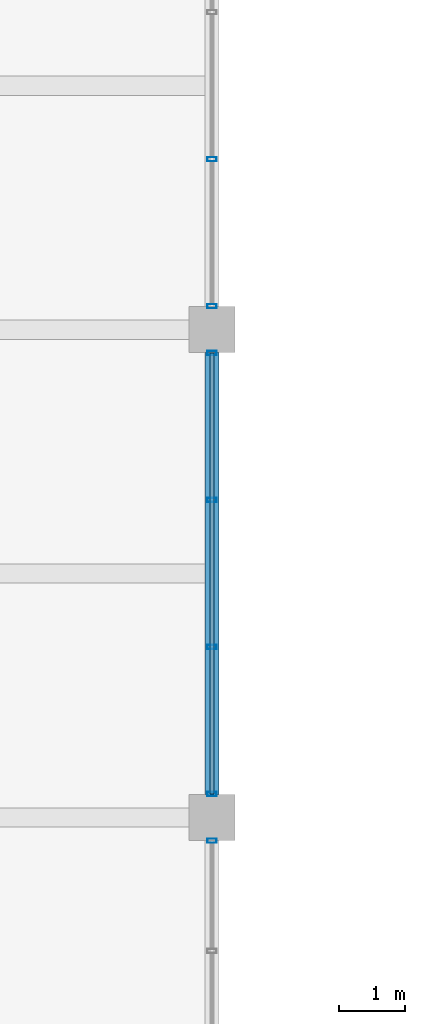
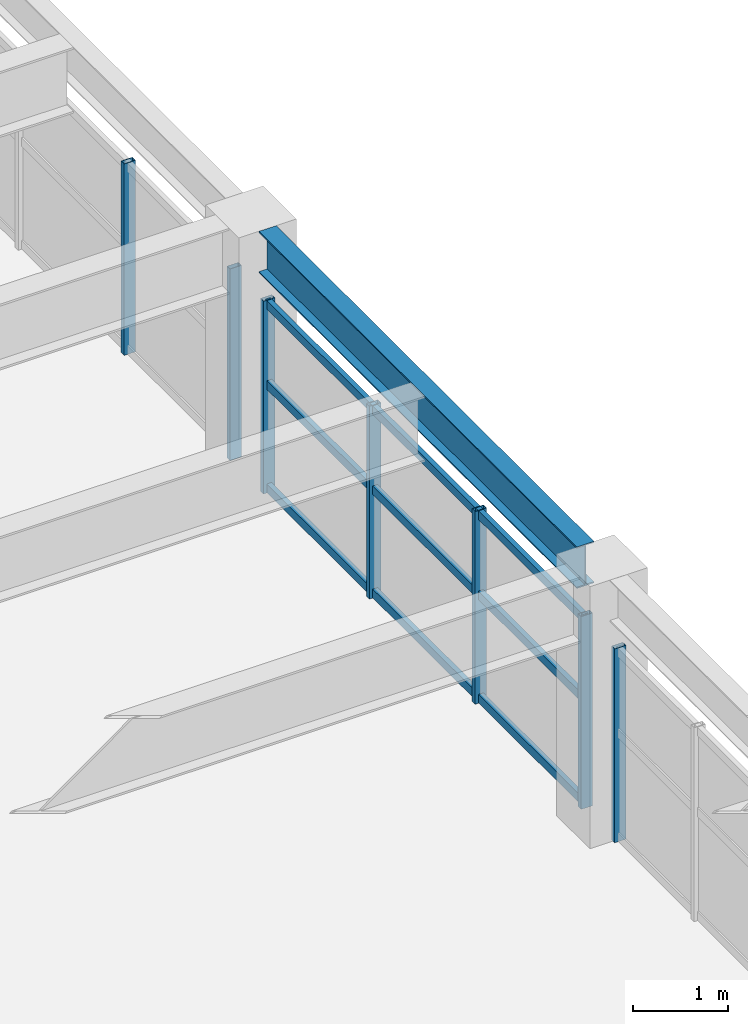
# One storey, part 70 of 121: 10 members, 1 beam, 3 elements without a shape of their own.
"""IFC4 building model written with IfcOpenShell, lengths in metres."""

from ifc_helpers import new_model, si_unit, direction, frame, origin, origin_2d, place, context, subcontext, project, spatial, hollow_rectangle, i_section, extrude, material, material_profile, profile_set, type_object, element, aggregate, save


model = new_model("IFC4")

# Units and contexts
model_context = context("Model", 3, precision=1e-05, world=origin(), true_north=direction((0.0, 1.0)))
body_context = subcontext(model_context, "Body", "Model", "MODEL_VIEW")
ifc_project = project(units=[si_unit("LENGTHUNIT", "METRE"), si_unit("AREAUNIT", "SQUARE_METRE"), si_unit("VOLUMEUNIT", "CUBIC_METRE"), si_unit("PLANEANGLEUNIT", "RADIAN"), si_unit("MASSUNIT", "GRAM", prefix="KILO")], contexts=[model_context])

# Site, building, storey
site_placement = place(None, origin())
site = spatial("IfcSite", under=ifc_project, at=site_placement, CompositionType="ELEMENT")
building_placement = place(site_placement, origin())
building = spatial("IfcBuilding", under=site, at=building_placement, Name="Cimatlan Art Gallery", CompositionType="ELEMENT")
storey_placement = place(building_placement, frame((0.0, 0.0, 10.199951171875)))
storey = spatial("IfcBuildingStorey", under=building, at=storey_placement, Name="L02", CompositionType="ELEMENT", Elevation=10.199951171875)

# Beam
ifc_material_1 = material(Name="Steel ASTM A992 Grade 50", Category="steel")
ifc_material_profile_1 = material_profile(ifc_material_1, i_section(OverallWidth=0.2099609375, OverallDepth=0.532958984375, WebThickness=0.01025390625, FlangeThickness=0.015625, at=origin_2d()), Name="W21X62")
ifc_profile_set_1 = profile_set([ifc_material_profile_1], Name="Steel ASTM A992 Grade 50")
beam_type = type_object("IfcBeamType", Name="BM-STL-W21X62", PredefinedType="BEAM", material=ifc_profile_set_1)
beam_placement = place(storey_placement, frame((99.199951171875, 83.449951171875, 3.103515625), z_axis=(0.0, 1.0, 0.0), x_axis=(-1.0, 0.0, 0.0)))
element("IfcBeam", 1, at=beam_placement, inside=storey, type_object=beam_type, Name="BM-Y-L02-12-11", PredefinedType="BEAM", context=body_context, shape_type="SweptSolid", body=[
    extrude(i_section(OverallWidth=0.2099609375, OverallDepth=0.532958984375, WebThickness=0.01025390625, FlangeThickness=0.015625, at=origin_2d()), origin(), (0.0, 0.0, 1.0), 6.699951171875),
])

# Curtain wall, member
ifc_material_2 = material(Name="Anodised bronze unitised curtain wall")
curtain_wall_type_1 = type_object("IfcCurtainWallType", Name="CW-V-06692X02494-B4", PredefinedType="NOTDEFINED", material=ifc_material_2)
curtain_wall_1_placement = place(storey_placement, origin())
curtain_wall_1 = element("IfcCurtainWall", 2, at=curtain_wall_1_placement, inside=storey, type_object=curtain_wall_type_1, Name="CW-L02-11-10-E", PredefinedType="NOTDEFINED")
ifc_material_3 = material(Name="Anodised bronze aluminium 6063-T6", Category="aluminium")
ifc_material_profile_2 = material_profile(ifc_material_3, hollow_rectangle(XDim=0.06494140625, YDim=0.139892578125, WallThickness=0.00390625, at=origin_2d()), Name="ALU65X140X4")
ifc_profile_set_2 = profile_set([ifc_material_profile_2], Name="Anodised bronze aluminium 6063-T6")
member_type_1 = type_object("IfcMemberType", Name="CW-MUL-140", PredefinedType="MULLION", material=ifc_profile_set_2)
member_1_placement = place(storey_placement, frame((99.199951171875, 82.74609375, 0.0), z_axis=(0.0, 0.0, 1.0), x_axis=(0.0, 1.0, 0.0)))
member_1 = element("IfcMember", 3, at=member_1_placement, type_object=member_type_1, Name="CW-L02-11-10-E-M1", PredefinedType="MULLION", context=body_context, shape_type="SweptSolid", body=[
    extrude(hollow_rectangle(XDim=0.06494140625, YDim=0.139892578125, WallThickness=0.00390625, at=origin_2d()), origin(), (0.0, 0.0, 1.0), 2.494140625),
])
aggregate(curtain_wall_1, [member_1])

# Curtain wall, members
curtain_wall_type_2 = type_object("IfcCurtainWallType", Name="CW-V-06692X02479-B3", PredefinedType="NOTDEFINED", material=ifc_material_2)
curtain_wall_2_placement = place(storey_placement, origin())
curtain_wall_2 = element("IfcCurtainWall", 4, at=curtain_wall_2_placement, inside=storey, type_object=curtain_wall_type_2, Name="CW-L02-11-11-E", PredefinedType="NOTDEFINED")
member_2_placement = place(storey_placement, frame((99.199951171875, 90.14599609375, 0.0), z_axis=(0.0, 0.0, 1.0), x_axis=(0.0, 1.0, 0.0)))
member_2 = element("IfcMember", 5, at=member_2_placement, type_object=member_type_1, Name="CW-L02-11-11-E-M1", PredefinedType="MULLION", context=body_context, shape_type="SweptSolid", body=[
    extrude(hollow_rectangle(XDim=0.06494140625, YDim=0.139892578125, WallThickness=0.00390625, at=origin_2d()), origin(), (0.0, 0.0, 1.0), 2.47900390625),
])
member_3_placement = place(storey_placement, frame((99.199951171875, 87.915283203125, 0.0), z_axis=(0.0, 0.0, 1.0), x_axis=(0.0, 1.0, 0.0)))
member_3 = element("IfcMember", 6, at=member_3_placement, type_object=member_type_1, Name="CW-L02-11-11-E-M2", PredefinedType="MULLION", context=body_context, shape_type="SweptSolid", body=[
    extrude(hollow_rectangle(XDim=0.06494140625, YDim=0.139892578125, WallThickness=0.00390625, at=origin_2d()), origin(), (0.0, 0.0, 1.0), 2.47900390625),
])
member_4_placement = place(storey_placement, frame((99.199951171875, 85.6845703125, 0.0), z_axis=(0.0, 0.0, 1.0), x_axis=(0.0, 1.0, 0.0)))
member_4 = element("IfcMember", 7, at=member_4_placement, type_object=member_type_1, Name="CW-L02-11-11-E-M3", PredefinedType="MULLION", context=body_context, shape_type="SweptSolid", body=[
    extrude(hollow_rectangle(XDim=0.06494140625, YDim=0.139892578125, WallThickness=0.00390625, at=origin_2d()), origin(), (0.0, 0.0, 1.0), 2.47900390625),
])
member_5_placement = place(storey_placement, frame((99.199951171875, 83.4541015625, 0.0), z_axis=(0.0, 0.0, 1.0), x_axis=(0.0, 1.0, 0.0)))
member_5 = element("IfcMember", 8, at=member_5_placement, type_object=member_type_1, Name="CW-L02-11-11-E-M4", PredefinedType="MULLION", context=body_context, shape_type="SweptSolid", body=[
    extrude(hollow_rectangle(XDim=0.06494140625, YDim=0.139892578125, WallThickness=0.00390625, at=origin_2d()), origin(), (0.0, 0.0, 1.0), 2.47900390625),
])

curtain_wall_type_3 = type_object("IfcCurtainWallType", Name="CW-V-06692X02464-B3", PredefinedType="NOTDEFINED", material=ifc_material_2)
curtain_wall_3_placement = place(storey_placement, origin())
curtain_wall_3 = element("IfcCurtainWall", 9, at=curtain_wall_3_placement, inside=storey, type_object=curtain_wall_type_3, Name="CW-L02-11-12-E", PredefinedType="NOTDEFINED")
member_6_placement = place(storey_placement, frame((99.199951171875, 93.084716796875, 0.0), z_axis=(0.0, 0.0, 1.0), x_axis=(0.0, 1.0, 0.0)))
member_6 = element("IfcMember", 10, at=member_6_placement, type_object=member_type_1, Name="CW-L02-11-12-E-M3", PredefinedType="MULLION", context=body_context, shape_type="SweptSolid", body=[
    extrude(hollow_rectangle(XDim=0.06494140625, YDim=0.139892578125, WallThickness=0.00390625, at=origin_2d()), origin(), (0.0, 0.0, 1.0), 2.464111328125),
])
member_7_placement = place(storey_placement, frame((99.199951171875, 90.85400390625, 0.0), z_axis=(0.0, 0.0, 1.0), x_axis=(0.0, 1.0, 0.0)))
member_7 = element("IfcMember", 11, at=member_7_placement, type_object=member_type_1, Name="CW-L02-11-12-E-M4", PredefinedType="MULLION", context=body_context, shape_type="SweptSolid", body=[
    extrude(hollow_rectangle(XDim=0.06494140625, YDim=0.139892578125, WallThickness=0.00390625, at=origin_2d()), origin(), (0.0, 0.0, 1.0), 2.464111328125),
])
aggregate(curtain_wall_3, [member_6, member_7])

# Member
ifc_material_profile_3 = material_profile(ifc_material_3, hollow_rectangle(XDim=0.06005859375, YDim=0.110107421875, WallThickness=0.00341796875, at=origin_2d()), Name="ALU60X110X3")
ifc_profile_set_3 = profile_set([ifc_material_profile_3], Name="Anodised bronze aluminium 6063-T6")
member_type_2 = type_object("IfcMemberType", Name="CW-TRN-110", PredefinedType="USERDEFINED", material=ifc_profile_set_3)
member_8_placement = place(storey_placement, frame((99.199951171875, 90.14599609375, 0.06005859375), z_axis=(0.0, -1.0, 0.0), x_axis=(1.0, 0.0, 0.0)))
member_8 = element("IfcMember", 12, at=member_8_placement, type_object=member_type_2, Name="CW-L02-11-11-E-T1", ObjectType="TRANSOM", PredefinedType="USERDEFINED", context=body_context, shape_type="SweptSolid", body=[
    extrude(hollow_rectangle(XDim=0.06005859375, YDim=0.110107421875, WallThickness=0.00341796875, at=origin_2d()), origin(), (0.0, 0.0, 1.0), 6.69189453125),
])

member_9_placement = place(storey_placement, frame((99.199951171875, 90.14599609375, 1.38818359375), z_axis=(0.0, -1.0, 0.0), x_axis=(1.0, 0.0, 0.0)))
member_9 = element("IfcMember", 13, at=member_9_placement, type_object=member_type_2, Name="CW-L02-11-11-E-T2", ObjectType="TRANSOM", PredefinedType="USERDEFINED", context=body_context, shape_type="SweptSolid", body=[
    extrude(hollow_rectangle(XDim=0.06005859375, YDim=0.110107421875, WallThickness=0.00341796875, at=origin_2d()), origin(), (0.0, 0.0, 1.0), 6.69189453125),
])

member_10_placement = place(storey_placement, frame((99.199951171875, 90.14599609375, 2.4189453125), z_axis=(0.0, -1.0, 0.0), x_axis=(1.0, 0.0, 0.0)))
member_10 = element("IfcMember", 14, at=member_10_placement, type_object=member_type_2, Name="CW-L02-11-11-E-T3", ObjectType="TRANSOM", PredefinedType="USERDEFINED", context=body_context, shape_type="SweptSolid", body=[
    extrude(hollow_rectangle(XDim=0.06005859375, YDim=0.110107421875, WallThickness=0.00341796875, at=origin_2d()), origin(), (0.0, 0.0, 1.0), 6.69189453125),
])

aggregate(curtain_wall_2, [member_2, member_3, member_4, member_5, member_8, member_9, member_10])

save(model, "model.ifc")
